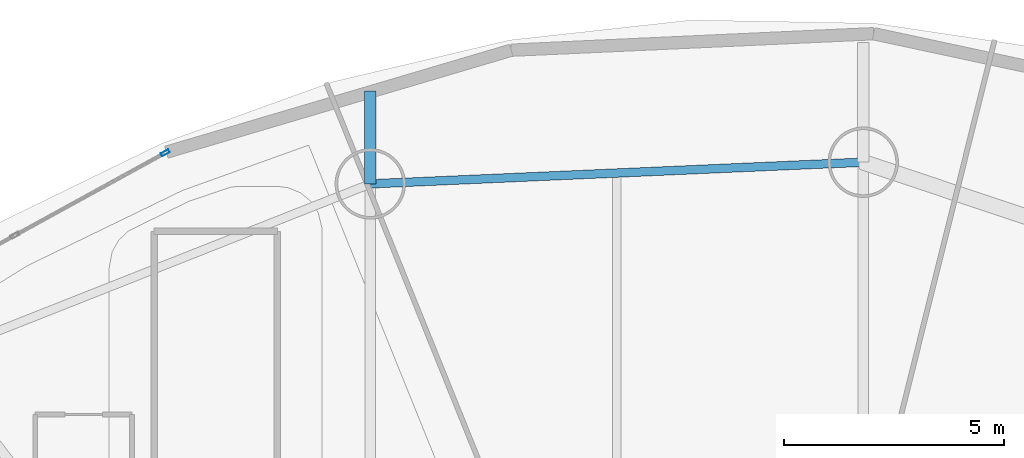
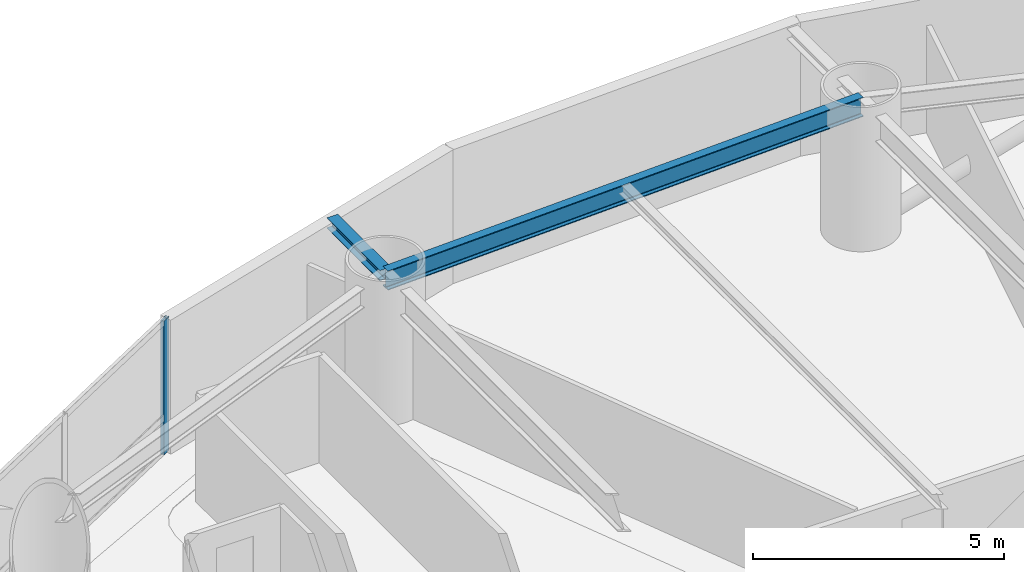
# One storey, part 17 of 25: 2 beams, 1 member, 1 element without a shape of its own.
"""IFC4 building model written with IfcOpenShell, lengths in metres."""

import ifcopenshell
import ifcopenshell.guid

model = None  # the IFC model being written
_history = None  # IfcOwnerHistory: only IFC2X3 demands one
_inside = {}  # id of a spatial element -> (the spatial element, [elements in it])
_under = {}  # id of a project, library or spatial element -> (it, [spatial elements below it])
_declared = {}  # id of a project -> (the project, [libraries it declares])
_typed = {}  # id of a type object -> (the type object, [elements of that type])
_made_of = {}  # id of a material, layer set ... -> (it, [elements and type objects made of it])


def new_model(schema):
    """Start an empty IFC model of exactly this schema.

    Asked for "IFC4X3", IfcOpenShell would pick the latest addendum, in which some entities
    have other attributes; the version numbers below select the first issue.
    IFC2X3 requires an IfcOwnerHistory on every rooted entity: one is made here for all.
    """
    global model, _history
    if schema == "IFC4X3":
        model = ifcopenshell.file(schema_version=(4, 3, 0, 0))
    else:
        model = ifcopenshell.file(schema=schema)
    _inside.clear()
    _under.clear()
    _declared.clear()
    _typed.clear()
    _made_of.clear()
    _history = None
    if model.schema == "IFC2X3":
        org = make("IfcOrganization", Name="unknown")
        user = make(
            "IfcPersonAndOrganization",
            ThePerson=make("IfcPerson", FamilyName="unknown"),
            TheOrganization=org,
        )
        app = make(
            "IfcApplication",
            ApplicationDeveloper=org,
            Version="unknown",
            ApplicationFullName="unknown",
            ApplicationIdentifier="unknown",
        )
        _history = make(
            "IfcOwnerHistory",
            OwningUser=user,
            OwningApplication=app,
            ChangeAction="ADDED",
            CreationDate=0,
        )
    return model


def make(cls, **values):
    """One entity of the class cls with the attributes given. An attribute that is None is left unset."""
    return model.create_entity(
        cls, **{name: value for name, value in values.items() if value is not None}
    )


def rooted(cls, **values):
    """An entity with a GlobalId (a new one), such as an element, a storey or a relation."""
    return make(cls, GlobalId=ifcopenshell.guid.new(), OwnerHistory=_history, **values)


def si_unit(unit_type, name, prefix=None):
    """IfcSIUnit, for example si_unit("LENGTHUNIT", "METRE", prefix="MILLI")."""
    return make("IfcSIUnit", UnitType=unit_type, Prefix=prefix, Name=name)


def assignment(units):
    """IfcUnitAssignment: the units of a project."""
    return None if units is None else make("IfcUnitAssignment", Units=units)


def point(xyz):
    """IfcCartesianPoint."""
    return None if xyz is None else make("IfcCartesianPoint", Coordinates=xyz)


def direction(xyz):
    """IfcDirection."""
    return None if xyz is None else make("IfcDirection", DirectionRatios=xyz)


def frame(location, z_axis=None, x_axis=None):
    """IfcAxis2Placement3D, a coordinate frame: its origin and axes. An axis left out is left unset."""
    return make(
        "IfcAxis2Placement3D",
        Location=point(location),
        Axis=direction(z_axis),
        RefDirection=direction(x_axis),
    )


def frame_2d(location, x_axis=None):
    """IfcAxis2Placement2D, a coordinate frame in the plane: its origin and x axis."""
    return make(
        "IfcAxis2Placement2D", Location=point(location), RefDirection=direction(x_axis)
    )


def origin():
    """The frame at (0, 0, 0) with its axes left unset."""
    return frame((0.0, 0.0, 0.0))


def origin_2d():
    """The frame at (0, 0) in the plane with its x axis left unset."""
    return frame_2d((0.0, 0.0))


def place(relative_to, where):
    """IfcLocalPlacement: puts the frame where relative to a parent placement (None: the world)."""
    return make(
        "IfcLocalPlacement", PlacementRelTo=relative_to, RelativePlacement=where
    )


def context(
    kind, dimensions, precision=None, world=None, true_north=None, identifier=None
):
    """IfcGeometricRepresentationContext, for example the 3D "Model" context."""
    return make(
        "IfcGeometricRepresentationContext",
        ContextIdentifier=identifier,
        ContextType=kind,
        CoordinateSpaceDimension=dimensions,
        Precision=precision,
        WorldCoordinateSystem=world,
        TrueNorth=true_north,
    )


def subcontext(parent, identifier, kind, view, scale=None):
    """IfcGeometricRepresentationSubContext, for example "Body" below "Model"."""
    return make(
        "IfcGeometricRepresentationSubContext",
        ContextIdentifier=identifier,
        ContextType=kind,
        ParentContext=parent,
        TargetScale=scale,
        TargetView=view,
    )


def project(units=None, contexts=None):
    """IfcProject with its units and contexts."""
    return rooted(
        "IfcProject",
        Name="project",
        RepresentationContexts=contexts,
        UnitsInContext=assignment(units),
    )


def spatial(cls, under=None, at=None, **own):
    """A site, building, storey or space (cls), placed at a placement, below another one or the project."""
    s = rooted(cls, ObjectPlacement=at, **own)
    if under is not None:
        _under.setdefault(under.id(), (under, []))[1].append(s)
    return s


def profile(cls, at=None, kind="AREA", **sizes):
    """A parametric profile (cls). Its sizes go by their IFC names, for example OverallWidth=200.0."""
    return make(cls, ProfileType=kind, Position=at, **sizes)


def hollow_rectangle(**sizes):
    """IfcRectangleHollowProfileDef."""
    return profile("IfcRectangleHollowProfileDef", **sizes)


def i_section(**sizes):
    """IfcIShapeProfileDef."""
    return profile("IfcIShapeProfileDef", **sizes)


def extrude(swept, where, along, depth):
    """IfcExtrudedAreaSolid: the profile swept, set in the frame where, extruded along a direction by depth."""
    return make(
        "IfcExtrudedAreaSolid",
        SweptArea=swept,
        Position=where,
        ExtrudedDirection=direction(along),
        Depth=depth,
    )


def shape(context_of_items, identifier, shape_type, items):
    """IfcShapeRepresentation: the items that make up one representation, for example the "Body"."""
    return make(
        "IfcShapeRepresentation",
        ContextOfItems=context_of_items,
        RepresentationIdentifier=identifier,
        RepresentationType=shape_type,
        Items=items,
    )


def material(Name=None, Category=None):
    """IfcMaterial."""
    return make("IfcMaterial", Name=Name, Category=Category)


def layer(
    of_material, thickness, ventilated=None, Name=None, Category=None, Priority=None
):
    """IfcMaterialLayer: one layer of a wall or slab, of a material (None: an air gap)."""
    return make(
        "IfcMaterialLayer",
        Material=of_material,
        LayerThickness=thickness,
        IsVentilated=ventilated,
        Name=Name,
        Category=Category,
        Priority=Priority,
    )


def layer_set(layers, Name=None):
    """IfcMaterialLayerSet."""
    return make("IfcMaterialLayerSet", MaterialLayers=layers, LayerSetName=Name)


def material_profile(
    of_material, cross_section, Name=None, Category=None, Priority=None
):
    """IfcMaterialProfile: a cross section and its material."""
    return make(
        "IfcMaterialProfile",
        Name=Name,
        Material=of_material,
        Profile=cross_section,
        Priority=Priority,
        Category=Category,
    )


def profile_set(profiles, Name=None, composite=None):
    """IfcMaterialProfileSet."""
    return make(
        "IfcMaterialProfileSet",
        Name=Name,
        MaterialProfiles=profiles,
        CompositeProfile=composite,
    )


def made_of(thing, what):
    """Note that an element or type object is made of a material, layer set ...; save() writes the relation."""
    if what is not None:
        _made_of.setdefault(what.id(), (what, []))[1].append(thing)
    return thing


def type_object(cls, material=None, **own):
    """A type object (cls), such as IfcWallType, which elements share."""
    return made_of(rooted(cls, **own), material)


def element(
    cls,
    number,
    at=None,
    inside=None,
    cuts=None,
    type_object=None,
    material=None,
    context=None,
    identifier="Body",
    shape_type=None,
    held_by="IfcProductDefinitionShape",
    body=None,
    shapes=None,
    **own,
):
    """One element of the class cls, such as IfcWall. Its Tag is "e" and its number.

    at: its placement. inside: the storey or other place that contains it. cuts: it is an
    opening in that element (IfcRelVoidsElement). A single representation is given by context,
    identifier, shape_type and body (its items); several are given by shapes. held_by: the class
    of the entity that holds the representations. save() writes the other relations.
    """
    e = rooted(cls, Tag="e%d" % number, ObjectPlacement=at, **own)
    if body is not None:
        shapes = [shape(context, identifier, shape_type, body)]
    if shapes is not None:
        e.Representation = make(held_by, Representations=shapes)
    if inside is not None:
        _inside.setdefault(inside.id(), (inside, []))[1].append(e)
    if cuts is not None:
        rooted(
            "IfcRelVoidsElement", RelatingBuildingElement=cuts, RelatedOpeningElement=e
        )
    if type_object is not None:
        _typed.setdefault(type_object.id(), (type_object, []))[1].append(e)
    return made_of(e, material)


def aggregate(whole, parts):
    """IfcRelAggregates: a whole, such as a stair, and the parts it consists of."""
    return rooted("IfcRelAggregates", RelatingObject=whole, RelatedObjects=parts)


def save(model, path):
    """Write the relations noted so far, then the file.

    IfcRelAggregates (storeys below a building ...), IfcRelContainedInSpatialStructure (elements
    in a storey), IfcRelDefinesByType, IfcRelAssociatesMaterial and IfcRelDeclares: one each for
    every whole, place, type object, material and project.
    """
    for whole, parts in _under.values():
        aggregate(whole, parts)
    for where, things in _inside.values():
        rooted(
            "IfcRelContainedInSpatialStructure",
            RelatedElements=things,
            RelatingStructure=where,
        )
    for kind, things in _typed.values():
        rooted("IfcRelDefinesByType", RelatedObjects=things, RelatingType=kind)
    for what, things in _made_of.values():
        rooted("IfcRelAssociatesMaterial", RelatedObjects=things, RelatingMaterial=what)
    for by, libraries in _declared.values():
        rooted("IfcRelDeclares", RelatingContext=by, RelatedDefinitions=libraries)
    model.write(path)


model = new_model("IFC4")

# Units and contexts
model_context = context("Model", 3, precision=1e-05, world=origin(), true_north=direction((0.0, 1.0)))
body_context = subcontext(model_context, "Body", "Model", "MODEL_VIEW")
ifc_project = project(units=[si_unit("LENGTHUNIT", "METRE"), si_unit("AREAUNIT", "SQUARE_METRE"), si_unit("VOLUMEUNIT", "CUBIC_METRE"), si_unit("PLANEANGLEUNIT", "RADIAN"), si_unit("MASSUNIT", "GRAM", prefix="KILO")], contexts=[model_context])

# Site, building, storey
site_placement = place(None, origin())
site = spatial("IfcSite", under=ifc_project, at=site_placement, CompositionType="ELEMENT")
building_placement = place(site_placement, origin())
building = spatial("IfcBuilding", under=site, at=building_placement, Name="Bramvorn Convention Spire", CompositionType="ELEMENT")
storey_placement = place(building_placement, frame((0.0, 0.0, 55.39990234375)))
storey = spatial("IfcBuildingStorey", under=building, at=storey_placement, Name="L11", CompositionType="ELEMENT", Elevation=55.39990234375)

# Beams
ifc_material_1 = material(Name="Steel CSA G40.21 Grade 350 (350W)", Category="steel")
ifc_material_profile_1 = material_profile(ifc_material_1, i_section(OverallWidth=0.25390625, OverallDepth=0.2529296875, WebThickness=0.008544921875, FlangeThickness=0.01416015625, FilletRadius=0.011962890625, at=origin_2d()))
ifc_profile_set_1 = profile_set([ifc_material_profile_1], Name="Steel CSA G40.21 Grade 350 (350W) - W250X73")
beam_type_1 = type_object("IfcBeamType", Name="BM-W250X73", PredefinedType="BEAM", material=ifc_profile_set_1)
beam_1_placement = place(storey_placement, frame((29.76220703125, 46.57666015625, 3.12353515625), z_axis=(0.0, 1.0, 0.0), x_axis=(-1.0, 0.0, 0.0)))
element("IfcBeam", 1, at=beam_1_placement, inside=storey, type_object=beam_type_1, Name="L11 slab-edge cantilever tip beam MC06", PredefinedType="BEAM", context=body_context, shape_type="SweptSolid", body=[
    extrude(i_section(OverallWidth=0.25390625, OverallDepth=0.2529296875, WebThickness=0.008544921875, FlangeThickness=0.01416015625, FilletRadius=0.011962890625, at=origin_2d()), origin(), (0.0, 0.0, 1.0), 2.111328125),
])
ifc_material_profile_2 = material_profile(ifc_material_1, i_section(OverallWidth=0.194091796875, OverallDepth=0.468994140625, WebThickness=0.0126953125, FlangeThickness=0.0205078125, FilletRadius=0.01806640625, at=origin_2d()))
ifc_profile_set_2 = profile_set([ifc_material_profile_2], Name="Steel CSA G40.21 Grade 350 (350W) - W460X106")
beam_type_2 = type_object("IfcBeamType", Name="BM-W460X106", PredefinedType="SPANDREL", material=ifc_profile_set_2)
beam_2_placement = place(storey_placement, frame((40.9609375, 47.06884765625, 3.015625), z_axis=(-0.999035582762, -0.043907907889, 0.0), x_axis=(0.043907907889, -0.999035582762, 0.0)))
element("IfcBeam", 2, at=beam_2_placement, inside=storey, type_object=beam_type_2, Name="L11 mega-column ring beam 05", PredefinedType="SPANDREL", context=body_context, shape_type="SweptSolid", body=[
    extrude(i_section(OverallWidth=0.194091796875, OverallDepth=0.468994140625, WebThickness=0.0126953125, FlangeThickness=0.0205078125, FilletRadius=0.01806640625, at=origin_2d()), origin(), (0.0, 0.0, 1.0), 11.20947265625),
])

# Curtain wall, member
ifc_material_2 = material(Name="Anodised Bronze Unitised Curtain Wall", Category="aluminium")
ifc_layer = layer(ifc_material_2, 0.179931640625)
ifc_layer_set = layer_set([ifc_layer], Name="Anodised Bronze Unitised Curtain Wall - CW-HTL-FRIT")
curtain_wall_type = type_object("IfcCurtainWallType", Name="CW-HTL-FRIT", PredefinedType="USERDEFINED", material=ifc_layer_set)
curtain_wall_placement = place(storey_placement, origin())
curtain_wall = element("IfcCurtainWall", 3, at=curtain_wall_placement, inside=storey, type_object=curtain_wall_type, Name="L11 fritted glass curtain wall 09", ObjectType="UNITISED CURTAIN WALL", PredefinedType="USERDEFINED")
ifc_material_3 = material(Name="Anodised Bronze Aluminium 6063-T6", Category="aluminium")
ifc_material_profile_3 = material_profile(ifc_material_3, hollow_rectangle(XDim=0.080078125, YDim=0.199951171875, WallThickness=0.00390625, InnerFilletRadius=0.0009765625, OuterFilletRadius=0.00390625, at=origin_2d()))
ifc_profile_set_3 = profile_set([ifc_material_profile_3], Name="Anodised Bronze Aluminium 6063-T6 - CWM80X200")
member_type = type_object("IfcMemberType", Name="CW-MUL-180", PredefinedType="MULLION", material=ifc_profile_set_3)
member_placement = place(storey_placement, frame((25.10302734375, 47.281494140625, 0.0), z_axis=(0.0, 0.0, 1.0), x_axis=(-0.481254586999, 0.87658087048, 0.0)))
member = element("IfcMember", 4, at=member_placement, type_object=member_type, Name="CW2 mullion 3", PredefinedType="MULLION", context=body_context, shape_type="SweptSolid", body=[
    extrude(hollow_rectangle(XDim=0.080078125, YDim=0.199951171875, WallThickness=0.00390625, InnerFilletRadius=0.0009765625, OuterFilletRadius=0.00390625, at=origin_2d()), origin(), (0.0, 0.0, 1.0), 3.25),
])
aggregate(curtain_wall, [member])

save(model, "model.ifc")
